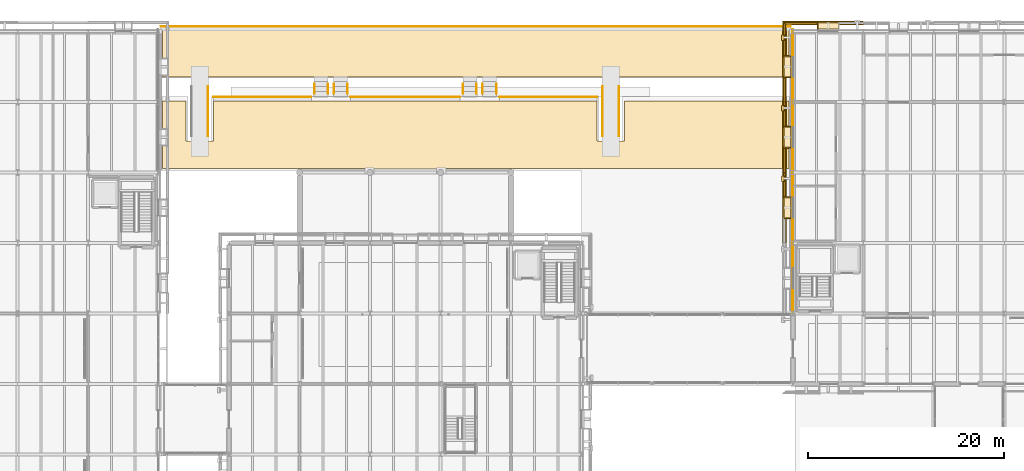
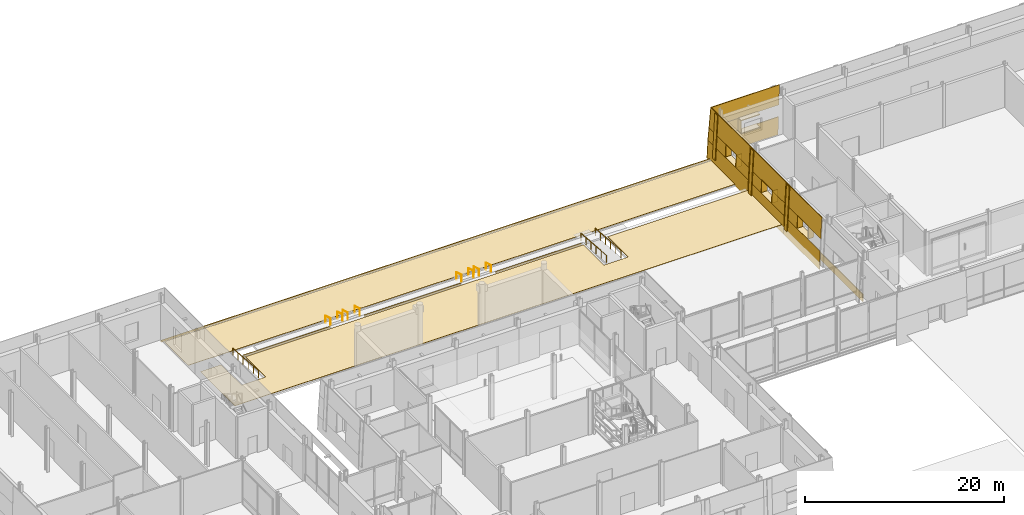
# One storey, part 115 of 120: 39 coverings, 11 railings.
"""IFC4 building model written with IfcOpenShell, lengths in metres."""

from ifc_helpers import new_model, si_unit, direction, frame, origin, origin_2d, place, context, subcontext, project, spatial, polyline, circle, outline, extrude, material, layer, layer_set, type_object, element, save


model = new_model("IFC4")

# Units and contexts
model_context = context("Model", 3, precision=1e-05, world=origin(), true_north=direction((0.0, 1.0)))
body_context = subcontext(model_context, "Body", "Model", "MODEL_VIEW")
ifc_project = project(units=[si_unit("LENGTHUNIT", "METRE"), si_unit("AREAUNIT", "SQUARE_METRE"), si_unit("VOLUMEUNIT", "CUBIC_METRE"), si_unit("PLANEANGLEUNIT", "RADIAN"), si_unit("MASSUNIT", "GRAM", prefix="KILO")], contexts=[model_context])

# Site, building, storey
site_placement = place(None, origin())
site = spatial("IfcSite", under=ifc_project, at=site_placement, CompositionType="ELEMENT")
building_placement = place(site_placement, origin())
building = spatial("IfcBuilding", under=site, at=building_placement, Name="Narikvali Park Central Library", CompositionType="ELEMENT")
storey_placement = place(building_placement, origin())
storey = spatial("IfcBuildingStorey", under=building, at=storey_placement, Name="L00", CompositionType="ELEMENT", Elevation=0.0)

# Railings
ifc_material_1 = material(Name="Brushed Stainless Steel S355", Category="steel")
ifc_layer_1 = layer(ifc_material_1, 0.050048828125, Name="Brushed Stainless Steel S355")
ifc_layer_set_1 = layer_set([ifc_layer_1], Name="Brushed Stainless Steel S355")
railing_type = type_object("IfcRailingType", Name="Accessible Ramp Stainless Handrail 920", PredefinedType="HANDRAIL", material=ifc_layer_set_1)
for number, where, name in (
    (1, (73.5048828125, 109.85009765625, -0.52001953125), "ST-14 Forecourt Stair Handrail W"),
    (2, (74.89501953125, 109.85009765625, -0.52001953125), "ST-14 Forecourt Stair Handrail E"),
    (3, (75.5048828125, 109.85009765625, -0.52001953125), "ST-15 Forecourt Stair Handrail W"),
    (4, (76.89501953125, 109.85009765625, -0.52001953125), "ST-15 Forecourt Stair Handrail E"),
    (5, (88.705078125, 109.85009765625, -0.52001953125), "ST-16 Forecourt Stair Handrail W"),
    (6, (90.094970703125, 109.85009765625, -0.52001953125), "ST-16 Forecourt Stair Handrail E"),
    (7, (90.705078125, 109.85009765625, -0.52001953125), "ST-17 Forecourt Stair Handrail W"),
    (8, (92.094970703125, 109.85009765625, -0.52001953125), "ST-17 Forecourt Stair Handrail E"),
):
    element("IfcRailing", number, at=place(storey_placement, frame(where)), inside=storey, type_object=railing_type, Name=name, PredefinedType="HANDRAIL", context=body_context, shape_type="SweptSolid", body=[
        extrude(circle(Radius=0.02392578125, at=origin_2d()), frame((0.0, 0.0, 0.89599609375), z_axis=(0.0, -0.957813412269, 0.287390791914), x_axis=(1.0, 0.0, 0.0)), (0.0, 0.0, 1.0), 1.0439453125),
        extrude(circle(Radius=0.02099609375, at=origin_2d()), origin(), (0.0, 0.0, 1.0), 0.871826171875),
        extrude(circle(Radius=0.02099609375, at=origin_2d()), frame((0.0, -1.0, 0.300048828125)), (0.0, 0.0, 1.0), 0.871826171875),
    ])
for number, where, name in (
    (9, (62.639892578125, 109.60009765625, -0.56787109375), "RMP-01 Accessible Handrail E"),
    (10, (102.9599609375, 109.60009765625, -0.56787109375), "RMP-02 Accessible Handrail W"),
    (11, (104.639892578125, 109.60009765625, -0.56787109375), "RMP-02 Accessible Handrail E"),
):
    element("IfcRailing", number, at=place(storey_placement, frame(where)), inside=storey, type_object=railing_type, Name=name, PredefinedType="HANDRAIL", context=body_context, shape_type="SweptSolid", body=[
        extrude(circle(Radius=0.02392578125, at=origin_2d()), frame((0.0, 0.0, 0.89599609375), z_axis=(0.0, -0.996770364841, 0.080304668455), x_axis=(1.0, 0.0, 0.0)), (0.0, 0.0, 1.0), 5.11669921875),
        extrude(circle(Radius=0.02099609375, at=origin_2d()), origin(), (0.0, 0.0, 1.0), 0.871826171875),
        extrude(circle(Radius=0.02099609375, at=origin_2d()), frame((0.0, -1.02001953125, 0.082275390625)), (0.0, 0.0, 1.0), 0.871826171875),
        extrude(circle(Radius=0.02099609375, at=origin_2d()), frame((0.0, -2.0400390625, 0.164306640625)), (0.0, 0.0, 1.0), 0.871826171875),
        extrude(circle(Radius=0.02099609375, at=origin_2d()), frame((0.0, -3.06005859375, 0.24658203125)), (0.0, 0.0, 1.0), 0.871826171875),
        extrude(circle(Radius=0.02099609375, at=origin_2d()), frame((0.0, -4.080078125, 0.32861328125)), (0.0, 0.0, 1.0), 0.871826171875),
        extrude(circle(Radius=0.02099609375, at=origin_2d()), frame((0.0, -5.10009765625, 0.410888671875)), (0.0, 0.0, 1.0), 0.871826171875),
    ])

# Coverings
ifc_material_2 = material(Name="White Honed Limestone Cladding", Category="masonry")
ifc_layer_2 = layer(ifc_material_2, 0.0849609375, Name="White Honed Limestone Cladding")
ifc_layer_set_2 = layer_set([ifc_layer_2], Name="White Honed Limestone Cladding")
covering_type_1 = type_object("IfcCoveringType", Name="Battered White Limestone Facade Cladding Panel", PredefinedType="CLADDING", material=ifc_layer_set_2)
covering_1_placement = place(storey_placement, frame((129.60009765625, 116.239990234375, -0.8798828125), z_axis=(0.0, 0.999503282697, 0.031514883448), x_axis=(-1.0, 0.0, 0.0)))
element("IfcCovering", 12, at=covering_1_placement, inside=storey, type_object=covering_type_1, Name="V3 L00 N Battered Limestone Spandrel B06", PredefinedType="CLADDING", context=body_context, shape_type="SweptSolid", body=[
    extrude(outline(polyline([(0.0, 0.0), (8.239990234375, 0.0), (8.169677734375, 2.2310886891073425), (0.0, 2.2310886891073425), (0.0, 0.0)])), origin(), (0.0, 0.0, -1.0), 0.0849609375),
])
covering_2_placement = place(storey_placement, frame((129.60009765625, 116.091552734375, 2.85009765625), z_axis=(0.0, 0.998641237896, 0.05211216724), x_axis=(-1.0, 0.0, 0.0)))
element("IfcCovering", 13, at=covering_2_placement, inside=storey, type_object=covering_type_1, Name="V3 L00 N Battered Limestone Lintel B06", PredefinedType="CLADDING", context=body_context, shape_type="SweptSolid", body=[
    extrude(outline(polyline([(0.0, 0.0), (8.091552734375, 0.0), (7.958740234375, 2.5532739794255113), (0.0, 2.5532739794255113), (0.0, 0.0)])), origin(), (0.0, 0.0, -1.0), 0.0849609375),
])
covering_3_placement = place(storey_placement, frame((124.9599609375, 116.169677734375, 1.35009765625), z_axis=(0.0, 0.998646416446, 0.05201283419), x_axis=(-1.0, 0.0, 0.0)))
element("IfcCovering", 14, at=covering_3_placement, inside=storey, type_object=covering_type_1, Name="V3 L00 N Battered Limestone Jamb Pier R B06", PredefinedType="CLADDING", context=body_context, shape_type="SweptSolid", body=[
    extrude(outline(polyline([(0.0, 0.0), (3.529541015625, 0.0), (3.451416015625, 1.5020331273394072), (0.0, 1.5020331273394072), (0.0, 0.0)])), origin(), (0.0, 0.0, -1.0), 0.0849609375),
])
covering_4_placement = place(storey_placement, frame((121.219970703125, 114.85009765625, 0.0), z_axis=(-0.998644021289, 0.0, 0.05205880082), x_axis=(0.0, -1.0, 0.0)))
element("IfcCovering", 15, at=covering_4_placement, inside=storey, type_object=covering_type_1, Name="V3 L00 W Classical Limestone Pilaster B01", PredefinedType="CLADDING", context=body_context, shape_type="SweptSolid", body=[
    extrude(outline(polyline([(0.0, 0.0), (0.550048828125, 0.0), (0.550048828125, 5.407234438531675), (0.0, 5.407234438531675), (0.0, 0.0)])), origin(), (0.0, 0.0, -1.0), 0.0849609375),
])
covering_5_placement = place(storey_placement, frame((121.360107421875, 116.155029296875, -0.8798828125), z_axis=(-0.999503282697, 0.0, 0.031514883448), x_axis=(0.0, -1.0, 0.0)))
element("IfcCovering", 16, at=covering_5_placement, inside=storey, type_object=covering_type_1, Name="V3 L00 W Battered Limestone Spandrel B01", PredefinedType="CLADDING", context=body_context, shape_type="SweptSolid", body=[
    extrude(outline(polyline([(0.0, 0.0), (8.155029296875, 0.0), (8.155029296875, 2.2310886891073425), (0.0703125, 2.2310886891073425), (0.0, 0.0)])), origin(), (0.0, 0.0, -1.0), 0.0849609375),
])
covering_6_placement = place(storey_placement, frame((121.508544921875, 116.006591796875, 2.85009765625), z_axis=(-0.998646209492, 0.0, 0.052016807542), x_axis=(0.0, -1.0, 0.0)))
element("IfcCovering", 17, at=covering_6_placement, inside=storey, type_object=covering_type_1, Name="V3 L00 W Battered Limestone Lintel B01", PredefinedType="CLADDING", context=body_context, shape_type="SweptSolid", body=[
    extrude(outline(polyline([(0.0, 0.0), (8.006591796875, 0.0), (8.006591796875, 2.5532612683689897), (0.133056640625, 2.5532612683689897), (0.0, 0.0)])), origin(), (0.0, 0.0, -1.0), 0.0849609375),
])
covering_7_placement = place(storey_placement, frame((121.430419921875, 116.084716796875, 1.35009765625), z_axis=(-0.998646416446, 0.0, 0.05201283419), x_axis=(0.0, -1.0, 0.0)))
element("IfcCovering", 18, at=covering_7_placement, inside=storey, type_object=covering_type_1, Name="V3 L00 W Battered Limestone Jamb Pier L B01", PredefinedType="CLADDING", context=body_context, shape_type="SweptSolid", body=[
    extrude(outline(polyline([(0.0, 0.0), (3.44482421875, 0.0), (3.44482421875, 1.5020331273394072), (0.078125, 1.5020331273394072), (0.0, 0.0)])), origin(), (0.0, 0.0, -1.0), 0.0849609375),
])
covering_8_placement = place(storey_placement, frame((121.430419921875, 110.56005859375, 1.35009765625), z_axis=(-0.998646416446, 0.0, 0.05201283419), x_axis=(0.0, -1.0, 0.0)))
element("IfcCovering", 19, at=covering_8_placement, inside=storey, type_object=covering_type_1, Name="V3 L00 W Battered Limestone Jamb Pier R B01", PredefinedType="CLADDING", context=body_context, shape_type="SweptSolid", body=[
    extrude(outline(polyline([(0.0, 0.0), (2.56005859375, 0.0), (2.56005859375, 1.5020331273394072), (0.0, 1.5020331273394072), (0.0, 0.0)])), origin(), (0.0, 0.0, -1.0), 0.0849609375),
])
covering_9_placement = place(storey_placement, frame((121.219970703125, 107.64990234375, 0.0), z_axis=(-0.998644021289, 0.0, 0.05205880082), x_axis=(0.0, -1.0, 0.0)))
element("IfcCovering", 20, at=covering_9_placement, inside=storey, type_object=covering_type_1, Name="V3 L00 W Classical Limestone Pilaster B02", PredefinedType="CLADDING", context=body_context, shape_type="SweptSolid", body=[
    extrude(outline(polyline([(0.0, 0.0), (0.5498046875, 0.0), (0.5498046875, 5.407234438531674), (0.0, 5.407234438531674), (0.0, 0.0)])), origin(), (0.0, 0.0, -1.0), 0.0849609375),
])
covering_10_placement = place(storey_placement, frame((121.360107421875, 108.0, -0.8798828125), z_axis=(-0.999503282697, 0.0, 0.031514883448), x_axis=(0.0, -1.0, 0.0)))
element("IfcCovering", 21, at=covering_10_placement, inside=storey, type_object=covering_type_1, Name="V3 L00 W Battered Limestone Spandrel B02", PredefinedType="CLADDING", context=body_context, shape_type="SweptSolid", body=[
    extrude(outline(polyline([(0.0, 0.0), (7.199951171875, 0.0), (7.199951171875, 2.2310886891073425), (0.0, 2.2310886891073425), (0.0, 0.0)])), origin(), (0.0, 0.0, -1.0), 0.0849609375),
])
covering_11_placement = place(storey_placement, frame((121.508544921875, 108.0, 2.85009765625), z_axis=(-0.998646209492, 0.0, 0.052016807542), x_axis=(0.0, -1.0, 0.0)))
element("IfcCovering", 22, at=covering_11_placement, inside=storey, type_object=covering_type_1, Name="V3 L00 W Battered Limestone Lintel B02", PredefinedType="CLADDING", context=body_context, shape_type="SweptSolid", body=[
    extrude(outline(polyline([(0.0, 0.0), (7.199951171875, 0.0), (7.199951171875, 2.5532612683689897), (0.0, 2.5532612683689897), (0.0, 0.0)])), origin(), (0.0, 0.0, -1.0), 0.0849609375),
])
for number, where, z_axis, x_axis, name in (
    (23, (121.430419921875, 108.0, 1.35009765625), (-0.998646416446, 0.0, 0.05201283419), (0.0, -1.0, 0.0), "V3 L00 W Battered Limestone Jamb Pier L B02"),
    (24, (121.430419921875, 103.360107421875, 1.35009765625), (-0.998646416446, 0.0, 0.05201283419), (0.0, -1.0, 0.0), "V3 L00 W Battered Limestone Jamb Pier R B02"),
):
    element("IfcCovering", number, at=place(storey_placement, frame(where, z_axis=z_axis, x_axis=x_axis)), inside=storey, type_object=covering_type_1, Name=name, PredefinedType="CLADDING", context=body_context, shape_type="SweptSolid", body=[
        extrude(outline(polyline([(0.0, 0.0), (2.56005859375, 0.0), (2.56005859375, 1.5020331273394072), (0.0, 1.5020331273394072), (0.0, 0.0)])), origin(), (0.0, 0.0, -1.0), 0.0849609375),
    ])
covering_12_placement = place(storey_placement, frame((121.219970703125, 100.449951171875, 0.0), z_axis=(-0.998644021289, 0.0, 0.05205880082), x_axis=(0.0, -1.0, 0.0)))
element("IfcCovering", 25, at=covering_12_placement, inside=storey, type_object=covering_type_1, Name="V3 L00 W Classical Limestone Pilaster B03", PredefinedType="CLADDING", context=body_context, shape_type="SweptSolid", body=[
    extrude(outline(polyline([(0.0, 0.0), (0.550048828125, 0.0), (0.550048828125, 5.407234438531675), (0.0, 5.407234438531675), (0.0, 0.0)])), origin(), (0.0, 0.0, -1.0), 0.0849609375),
])
covering_13_placement = place(storey_placement, frame((121.360107421875, 100.800048828125, -0.8798828125), z_axis=(-0.999503282697, 0.0, 0.031514883448), x_axis=(0.0, -1.0, 0.0)))
element("IfcCovering", 26, at=covering_13_placement, inside=storey, type_object=covering_type_1, Name="V3 L00 W Battered Limestone Spandrel B03", PredefinedType="CLADDING", context=body_context, shape_type="SweptSolid", body=[
    extrude(outline(polyline([(0.0, 0.0), (7.199951171875, 0.0), (7.199951171875, 2.2310886891073425), (0.0, 2.2310886891073425), (0.0, 0.0)])), origin(), (0.0, 0.0, -1.0), 0.0849609375),
])
covering_14_placement = place(storey_placement, frame((121.508544921875, 100.800048828125, 2.85009765625), z_axis=(-0.998646209492, 0.0, 0.052016807542), x_axis=(0.0, -1.0, 0.0)))
element("IfcCovering", 27, at=covering_14_placement, inside=storey, type_object=covering_type_1, Name="V3 L00 W Battered Limestone Lintel B03", PredefinedType="CLADDING", context=body_context, shape_type="SweptSolid", body=[
    extrude(outline(polyline([(0.0, 0.0), (7.199951171875, 0.0), (7.199951171875, 2.5532612683689897), (0.0, 2.5532612683689897), (0.0, 0.0)])), origin(), (0.0, 0.0, -1.0), 0.0849609375),
])
covering_15_placement = place(storey_placement, frame((121.430419921875, 100.800048828125, 1.35009765625), z_axis=(-0.998646416446, 0.0, 0.05201283419), x_axis=(0.0, -1.0, 0.0)))
element("IfcCovering", 28, at=covering_15_placement, inside=storey, type_object=covering_type_1, Name="V3 L00 W Battered Limestone Jamb Pier L B03", PredefinedType="CLADDING", context=body_context, shape_type="SweptSolid", body=[
    extrude(outline(polyline([(0.0, 0.0), (2.56005859375, 0.0), (2.56005859375, 1.5020331273394072), (0.0, 1.5020331273394072), (0.0, 0.0)])), origin(), (0.0, 0.0, -1.0), 0.0849609375),
])
covering_16_placement = place(storey_placement, frame((57.800048828125, 115.669921875, -0.905029296875), z_axis=(0.0, -1.0, 0.0), x_axis=(1.0, 0.0, 0.0)))
element("IfcCovering", 29, at=covering_16_placement, inside=storey, type_object=covering_type_1, Name="Forecourt White Limestone Plinth Facing FC-PLINTH-N", PredefinedType="CLADDING", context=body_context, shape_type="SweptSolid", body=[
    extrude(outline(polyline([(0.0, 0.0), (64.39990234375, 0.0), (64.39990234375, 0.22509765625), (0.0, 0.22509765625), (0.0, 0.0)])), origin(), (0.0, 0.0, -1.0), 0.0849609375),
])
covering_17_placement = place(storey_placement, frame((63.199951171875, 108.469970703125, -0.219970703125), z_axis=(0.0, -1.0, 0.0), x_axis=(1.0, 0.0, 0.0)))
element("IfcCovering", 30, at=covering_17_placement, inside=storey, type_object=covering_type_1, Name="Forecourt White Limestone Plinth Facing FC-PLINTH-S1", PredefinedType="CLADDING", context=body_context, shape_type="SweptSolid", body=[
    extrude(outline(polyline([(0.0, 0.0), (10.0, 0.0), (10.0, 0.219970703125), (0.0, 0.219970703125), (0.0, 0.0)])), origin(), (0.0, 0.0, -1.0), 0.0849609375),
])
covering_18_placement = place(storey_placement, frame((77.199951171875, 108.469970703125, -0.219970703125), z_axis=(0.0, -1.0, 0.0), x_axis=(1.0, 0.0, 0.0)))
element("IfcCovering", 31, at=covering_18_placement, inside=storey, type_object=covering_type_1, Name="Forecourt White Limestone Plinth Facing FC-PLINTH-S2", PredefinedType="CLADDING", context=body_context, shape_type="SweptSolid", body=[
    extrude(outline(polyline([(0.0, 0.0), (11.199951171875, 0.0), (11.199951171875, 0.219970703125), (0.0, 0.219970703125), (0.0, 0.0)])), origin(), (0.0, 0.0, -1.0), 0.0849609375),
])
covering_19_placement = place(storey_placement, frame((92.39990234375, 108.469970703125, -0.219970703125), z_axis=(0.0, -1.0, 0.0), x_axis=(1.0, 0.0, 0.0)))
element("IfcCovering", 32, at=covering_19_placement, inside=storey, type_object=covering_type_1, Name="Forecourt White Limestone Plinth Facing FC-PLINTH-S3", PredefinedType="CLADDING", context=body_context, shape_type="SweptSolid", body=[
    extrude(outline(polyline([(0.0, 0.0), (10.0, 0.0), (10.0, 0.219970703125), (0.0, 0.219970703125), (0.0, 0.0)])), origin(), (0.0, 0.0, -1.0), 0.0849609375),
])
covering_20_placement = place(storey_placement, frame((122.419921875, 86.60009765625, -0.905029296875), z_axis=(1.0, 0.0, 0.0), x_axis=(0.0, 1.0, 0.0)))
element("IfcCovering", 33, at=covering_20_placement, inside=storey, type_object=covering_type_1, Name="Forecourt White Limestone Plinth Facing FC-PLINTH-E", PredefinedType="CLADDING", context=body_context, shape_type="SweptSolid", body=[
    extrude(outline(polyline([(0.0, 0.0), (28.849853515625, 0.0), (28.849853515625, 0.905029296875), (0.0, 0.905029296875), (0.0, 0.0)])), origin(), (0.0, 0.0, -1.0), 0.0849609375),
])
ifc_layer_3 = layer(ifc_material_2, 0.080078125, Name="White Honed Limestone Cladding")
ifc_layer_set_3 = layer_set([ifc_layer_3], Name="White Honed Limestone Cladding")
covering_type_2 = type_object("IfcCoveringType", Name="Deep Carved White Limestone Window Reveal", PredefinedType="CLADDING", material=ifc_layer_set_3)
covering_21_placement = place(storey_placement, frame((0.0, 0.0, 2.85009765625)))
element("IfcCovering", 34, at=covering_21_placement, inside=storey, type_object=covering_type_2, Name="Deep Stone Reveal Head V3-RVL-L00-N-B06", PredefinedType="CLADDING", context=body_context, shape_type="SweptSolid", body=[
    extrude(outline(polyline([(127.080078125, 115.445068359375), (124.919921875, 115.445068359375), (124.919921875, 116.091552734375), (127.080078125, 116.091552734375), (127.080078125, 115.445068359375)])), origin(), (0.0, 0.0, 1.0), 0.079833984375),
])
covering_22_placement = place(storey_placement, frame((0.0, 0.0, 1.27001953125)))
element("IfcCovering", 35, at=covering_22_placement, inside=storey, type_object=covering_type_2, Name="Deep Stone Reveal Sill V3-RVL-L00-N-B06", PredefinedType="CLADDING", context=body_context, shape_type="SweptSolid", body=[
    extrude(outline(polyline([(127.080078125, 115.445068359375), (124.919921875, 115.445068359375), (124.919921875, 116.169677734375), (127.080078125, 116.169677734375), (127.080078125, 115.445068359375)])), origin(), (0.0, 0.0, 1.0), 0.080078125),
])
covering_23_placement = place(storey_placement, frame((0.0, 0.0, 1.35009765625)))
element("IfcCovering", 36, at=covering_23_placement, inside=storey, type_object=covering_type_2, Name="Deep Stone Reveal Jamb R V3-RVL-L00-N-B06", PredefinedType="CLADDING", context=body_context, shape_type="SweptSolid", body=[
    extrude(outline(polyline([(124.9599609375, 115.445068359375), (124.8798828125, 115.445068359375), (124.8798828125, 116.091552734375), (124.9599609375, 116.091552734375), (124.9599609375, 115.445068359375)])), origin(), (0.0, 0.0, 1.0), 1.5),
])
covering_24_placement = place(storey_placement, frame((0.0, 0.0, 2.85009765625)))
element("IfcCovering", 37, at=covering_24_placement, inside=storey, type_object=covering_type_2, Name="Deep Stone Reveal Head V3-RVL-L00-W-B01", PredefinedType="CLADDING", context=body_context, shape_type="SweptSolid", body=[
    extrude(outline(polyline([(122.155029296875, 112.679931640625), (122.155029296875, 110.52001953125), (121.508544921875, 110.52001953125), (121.508544921875, 112.679931640625), (122.155029296875, 112.679931640625)])), origin(), (0.0, 0.0, 1.0), 0.079833984375),
])
covering_25_placement = place(storey_placement, frame((0.0, 0.0, 1.27001953125)))
element("IfcCovering", 38, at=covering_25_placement, inside=storey, type_object=covering_type_2, Name="Deep Stone Reveal Sill V3-RVL-L00-W-B01", PredefinedType="CLADDING", context=body_context, shape_type="SweptSolid", body=[
    extrude(outline(polyline([(122.155029296875, 112.679931640625), (122.155029296875, 110.52001953125), (121.430419921875, 110.52001953125), (121.430419921875, 112.679931640625), (122.155029296875, 112.679931640625)])), origin(), (0.0, 0.0, 1.0), 0.080078125),
])
covering_26_placement = place(storey_placement, frame((0.0, 0.0, 1.35009765625)))
element("IfcCovering", 39, at=covering_26_placement, inside=storey, type_object=covering_type_2, Name="Deep Stone Reveal Jamb L V3-RVL-L00-W-B01", PredefinedType="CLADDING", context=body_context, shape_type="SweptSolid", body=[
    extrude(outline(polyline([(122.155029296875, 112.719970703125), (122.155029296875, 112.639892578125), (121.508544921875, 112.639892578125), (121.508544921875, 112.719970703125), (122.155029296875, 112.719970703125)])), origin(), (0.0, 0.0, 1.0), 1.5),
])
covering_27_placement = place(storey_placement, frame((0.0, 0.0, 1.35009765625)))
element("IfcCovering", 40, at=covering_27_placement, inside=storey, type_object=covering_type_2, Name="Deep Stone Reveal Jamb R V3-RVL-L00-W-B01", PredefinedType="CLADDING", context=body_context, shape_type="SweptSolid", body=[
    extrude(outline(polyline([(122.155029296875, 110.56005859375), (122.155029296875, 110.47998046875), (121.508544921875, 110.47998046875), (121.508544921875, 110.56005859375), (122.155029296875, 110.56005859375)])), origin(), (0.0, 0.0, 1.0), 1.5),
])
covering_28_placement = place(storey_placement, frame((0.0, 0.0, 2.85009765625)))
element("IfcCovering", 41, at=covering_28_placement, inside=storey, type_object=covering_type_2, Name="Deep Stone Reveal Head V3-RVL-L00-W-B02", PredefinedType="CLADDING", context=body_context, shape_type="SweptSolid", body=[
    extrude(outline(polyline([(122.155029296875, 105.47998046875), (122.155029296875, 103.320068359375), (121.508544921875, 103.320068359375), (121.508544921875, 105.47998046875), (122.155029296875, 105.47998046875)])), origin(), (0.0, 0.0, 1.0), 0.079833984375),
])
covering_29_placement = place(storey_placement, frame((0.0, 0.0, 1.27001953125)))
element("IfcCovering", 42, at=covering_29_placement, inside=storey, type_object=covering_type_2, Name="Deep Stone Reveal Sill V3-RVL-L00-W-B02", PredefinedType="CLADDING", context=body_context, shape_type="SweptSolid", body=[
    extrude(outline(polyline([(122.155029296875, 105.47998046875), (122.155029296875, 103.320068359375), (121.430419921875, 103.320068359375), (121.430419921875, 105.47998046875), (122.155029296875, 105.47998046875)])), origin(), (0.0, 0.0, 1.0), 0.080078125),
])
covering_30_placement = place(storey_placement, frame((0.0, 0.0, 1.35009765625)))
element("IfcCovering", 43, at=covering_30_placement, inside=storey, type_object=covering_type_2, Name="Deep Stone Reveal Jamb L V3-RVL-L00-W-B02", PredefinedType="CLADDING", context=body_context, shape_type="SweptSolid", body=[
    extrude(outline(polyline([(122.155029296875, 105.52001953125), (122.155029296875, 105.43994140625), (121.508544921875, 105.43994140625), (121.508544921875, 105.52001953125), (122.155029296875, 105.52001953125)])), origin(), (0.0, 0.0, 1.0), 1.5),
])
covering_31_placement = place(storey_placement, frame((0.0, 0.0, 1.35009765625)))
element("IfcCovering", 44, at=covering_31_placement, inside=storey, type_object=covering_type_2, Name="Deep Stone Reveal Jamb R V3-RVL-L00-W-B02", PredefinedType="CLADDING", context=body_context, shape_type="SweptSolid", body=[
    extrude(outline(polyline([(122.155029296875, 103.360107421875), (122.155029296875, 103.280029296875), (121.508544921875, 103.280029296875), (121.508544921875, 103.360107421875), (122.155029296875, 103.360107421875)])), origin(), (0.0, 0.0, 1.0), 1.5),
])
covering_32_placement = place(storey_placement, frame((0.0, 0.0, 2.85009765625)))
element("IfcCovering", 45, at=covering_32_placement, inside=storey, type_object=covering_type_2, Name="Deep Stone Reveal Head V3-RVL-L00-W-B03", PredefinedType="CLADDING", context=body_context, shape_type="SweptSolid", body=[
    extrude(outline(polyline([(122.155029296875, 98.280029296875), (122.155029296875, 96.1201171875), (121.508544921875, 96.1201171875), (121.508544921875, 98.280029296875), (122.155029296875, 98.280029296875)])), origin(), (0.0, 0.0, 1.0), 0.079833984375),
])
covering_33_placement = place(storey_placement, frame((0.0, 0.0, 1.27001953125)))
element("IfcCovering", 46, at=covering_33_placement, inside=storey, type_object=covering_type_2, Name="Deep Stone Reveal Sill V3-RVL-L00-W-B03", PredefinedType="CLADDING", context=body_context, shape_type="SweptSolid", body=[
    extrude(outline(polyline([(122.155029296875, 98.280029296875), (122.155029296875, 96.1201171875), (121.430419921875, 96.1201171875), (121.430419921875, 98.280029296875), (122.155029296875, 98.280029296875)])), origin(), (0.0, 0.0, 1.0), 0.080078125),
])
covering_34_placement = place(storey_placement, frame((0.0, 0.0, 1.35009765625)))
element("IfcCovering", 47, at=covering_34_placement, inside=storey, type_object=covering_type_2, Name="Deep Stone Reveal Jamb L V3-RVL-L00-W-B03", PredefinedType="CLADDING", context=body_context, shape_type="SweptSolid", body=[
    extrude(outline(polyline([(122.155029296875, 98.320068359375), (122.155029296875, 98.239990234375), (121.508544921875, 98.239990234375), (121.508544921875, 98.320068359375), (122.155029296875, 98.320068359375)])), origin(), (0.0, 0.0, 1.0), 1.5),
])
covering_35_placement = place(storey_placement, frame((0.0, 0.0, 1.35009765625)))
element("IfcCovering", 48, at=covering_35_placement, inside=storey, type_object=covering_type_2, Name="Deep Stone Reveal Jamb R V3-RVL-L00-W-B03", PredefinedType="CLADDING", context=body_context, shape_type="SweptSolid", body=[
    extrude(outline(polyline([(122.155029296875, 96.159912109375), (122.155029296875, 96.080078125), (121.508544921875, 96.080078125), (121.508544921875, 96.159912109375), (122.155029296875, 96.159912109375)])), origin(), (0.0, 0.0, 1.0), 1.5),
])
ifc_material_3 = material(Name="Polished Georgian Basalt Terrazzo", Category="masonry")
ifc_layer_4 = layer(ifc_material_3, 0.0400390625, Name="Polished Georgian Basalt Terrazzo")
ifc_layer_set_4 = layer_set([ifc_layer_4], Name="Polished Georgian Basalt Terrazzo")
covering_type_3 = type_object("IfcCoveringType", Name="Polished Basalt Terrazzo Floor Finish", PredefinedType="FLOORING", material=ifc_layer_set_4)
covering_36_placement = place(storey_placement, origin())
element("IfcCovering", 49, at=covering_36_placement, inside=storey, type_object=covering_type_3, Name="Forecourt Upper White Stone Paving", PredefinedType="FLOORING", context=body_context, shape_type="SweptSolid", body=[
    extrude(outline(polyline([(58.0, 101.199951171875), (122.0, 101.199951171875), (122.0, 108.10009765625), (105.199951171875, 108.10009765625), (105.199951171875, 104.0), (102.39990234375, 104.0), (102.39990234375, 108.10009765625), (63.199951171875, 108.10009765625), (63.199951171875, 104.0), (60.39990234375, 104.0), (60.39990234375, 108.10009765625), (58.0, 108.10009765625), (58.0, 101.199951171875)])), origin(), (0.0, 0.0, 1.0), 0.0400390625),
])
covering_37_placement = place(storey_placement, frame((0.0, 0.0, -0.72509765625)))
element("IfcCovering", 50, at=covering_37_placement, inside=storey, type_object=covering_type_3, Name="Boulevard Lower White Stone Paving", PredefinedType="FLOORING", context=body_context, shape_type="SweptSolid", body=[
    extrude(outline(polyline([(58.0, 110.550048828125), (122.0, 110.550048828125), (122.0, 115.35009765625), (58.0, 115.35009765625), (58.0, 110.550048828125)])), origin(), (0.0, 0.0, 1.0), 0.0400390625),
])

save(model, "model.ifc")
